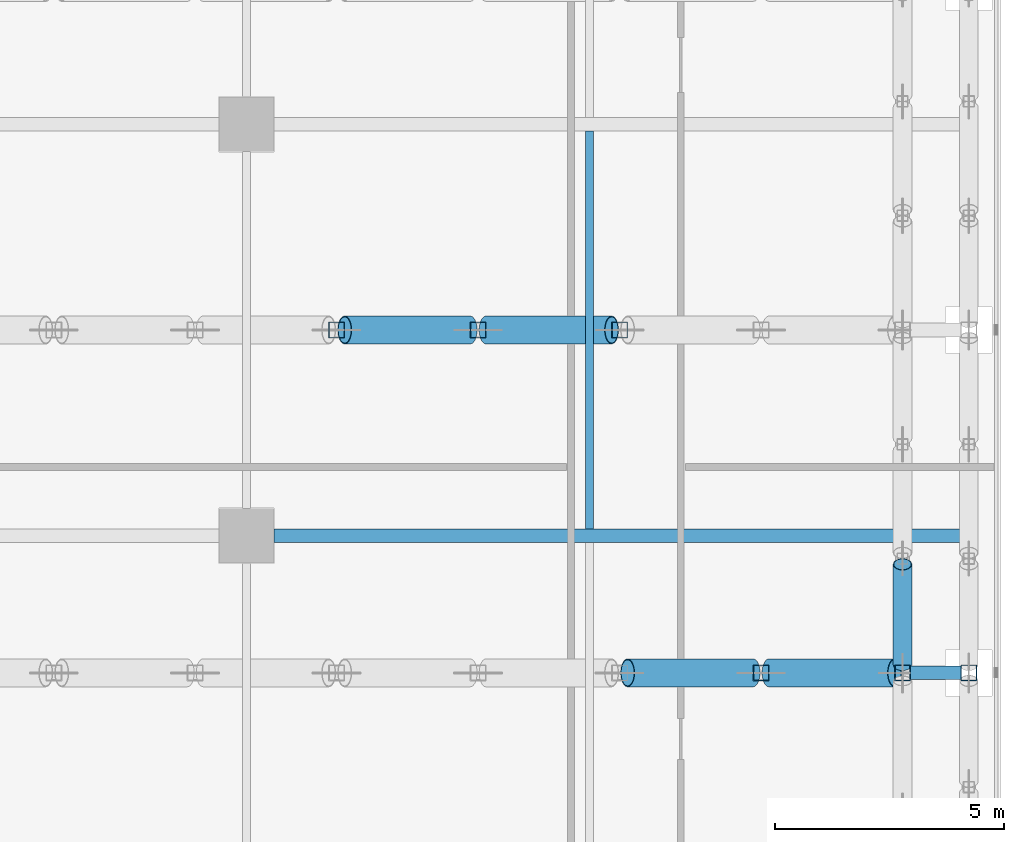
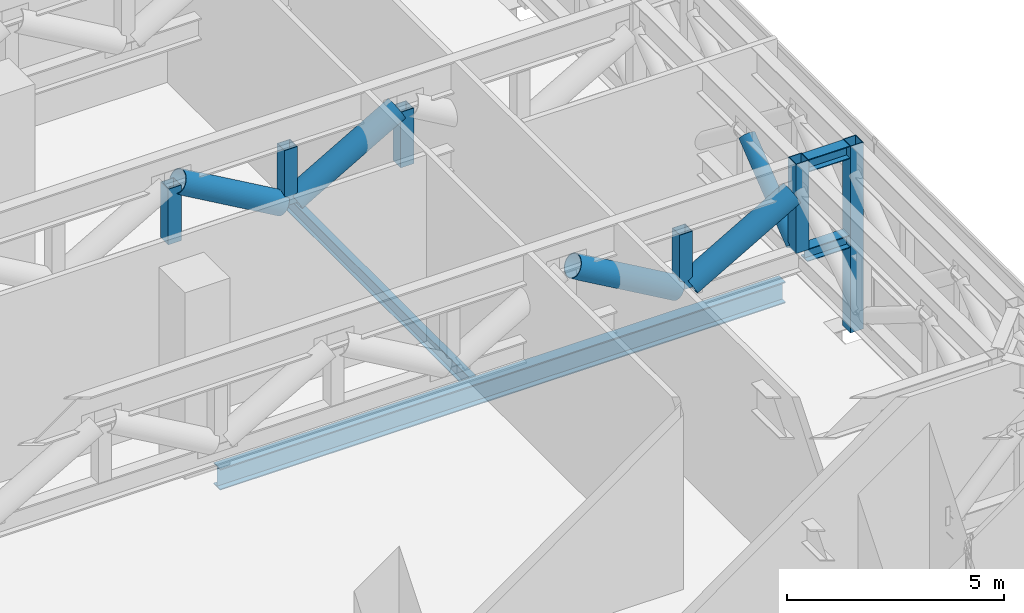
# One storey, part 13 of 36: 11 members, 4 beams.
"""IFC4 building model written with IfcOpenShell, lengths in metres."""

from ifc_helpers import new_model, si_unit, direction, frame, origin, origin_2d, place, context, subcontext, project, spatial, hollow_rectangle, hollow_circle, i_section, extrude, source, transform, mapped, material, material_profile, profile_set, type_object, element, save


model = new_model("IFC4")

# Units and contexts
model_context = context("Model", 3, precision=1e-05, world=origin(), true_north=direction((0.0, 1.0)))
body_context = subcontext(model_context, "Body", "Model", "MODEL_VIEW")
ifc_project = project(units=[si_unit("LENGTHUNIT", "METRE"), si_unit("AREAUNIT", "SQUARE_METRE"), si_unit("VOLUMEUNIT", "CUBIC_METRE"), si_unit("PLANEANGLEUNIT", "RADIAN"), si_unit("MASSUNIT", "GRAM", prefix="KILO")], contexts=[model_context])

# Site, building, storey
site_placement = place(None, origin())
site = spatial("IfcSite", under=ifc_project, at=site_placement, CompositionType="ELEMENT")
building_placement = place(site_placement, origin())
building = spatial("IfcBuilding", under=site, at=building_placement, Name="Khomas Fold Tower", CompositionType="ELEMENT")
storey_placement = place(building_placement, frame((0.0, 0.0, 216.699951171875)))
storey = spatial("IfcBuildingStorey", under=building, at=storey_placement, Name="L48", CompositionType="ELEMENT", Elevation=216.699951171875)

# Beams
ifc_material_1 = material(Name="Steel S355", Category="steel")
ifc_material_profile_1 = material_profile(ifc_material_1, i_section(OverallWidth=0.179931640625, OverallDepth=0.39990234375, WebThickness=0.008544921875, FlangeThickness=0.013427734375, at=origin_2d()), Name="IPE 400")
ifc_profile_set_1 = profile_set([ifc_material_profile_1], Name="Steel S355")
beam_type_1 = type_object("IfcBeamType", Name="IPE 400 beam JB3", PredefinedType="BEAM", material=ifc_profile_set_1)
shared_shape_1 = source(origin(), body_context, "Body", "SweptSolid", [
    extrude(i_section(OverallWidth=0.179931640625, OverallDepth=0.39990234375, WebThickness=0.008544921875, FlangeThickness=0.013427734375, at=origin_2d()), origin(), (0.0, 0.0, 1.0), 8.7001953125),
])
beam_1_placement = place(storey_placement, frame((42.0, 22.64990234375, -0.599853515625), z_axis=(0.0, 1.0, 0.0), x_axis=(-1.0, 0.0, 0.0)))
element("IfcBeam", 1, at=beam_1_placement, inside=storey, type_object=beam_type_1, Name="JB3", PredefinedType="BEAM", context=body_context, shape_type="MappedRepresentation", body=[
    mapped(shared_shape_1, transform((0.0, 0.0, 0.0))),
])
ifc_material_2 = material(Name="Steel S355", Category="steel")
ifc_material_profile_2 = material_profile(ifc_material_2, i_section(OverallWidth=0.300048828125, OverallDepth=0.60009765625, WebThickness=0.015380859375, FlangeThickness=0.030029296875, at=origin_2d()), Name="HE 600 B")
ifc_profile_set_2 = profile_set([ifc_material_profile_2], Name="Steel S355")
beam_type_2 = type_object("IfcBeamType", Name="HE 600 B beam GB5", PredefinedType="BEAM", material=ifc_profile_set_2)
shared_shape_2 = source(origin(), body_context, "Body", "SweptSolid", [
    extrude(i_section(OverallWidth=0.300048828125, OverallDepth=0.60009765625, WebThickness=0.015380859375, FlangeThickness=0.030029296875, at=origin_2d()), origin(), (0.0, 0.0, 1.0), 15.0498046875),
])
beam_2_placement = place(storey_placement, frame((35.10009765625, 22.5, -0.699951171875), z_axis=(1.0, 0.0, 0.0), x_axis=(0.0, 1.0, 0.0)))
element("IfcBeam", 2, at=beam_2_placement, inside=storey, type_object=beam_type_2, Name="GB5", PredefinedType="BEAM", context=body_context, shape_type="MappedRepresentation", body=[
    mapped(shared_shape_2, transform((0.0, 0.0, 0.0))),
])

# Members
ifc_material_3 = material(Name="Steel S355", Category="steel")
ifc_material_profile_3 = material_profile(ifc_material_3, hollow_circle(Radius=0.203125, WallThickness=0.012451171875, at=origin_2d()), Name="CHS 406.4x12.5")
ifc_profile_set_3 = profile_set([ifc_material_profile_3], Name="Steel S355")
member_type_1 = type_object("IfcMemberType", Name="BELT TRUSS 3 DIAGONAL CHS 406.4x12.5", PredefinedType="BRACE", material=ifc_profile_set_3)
shared_shape_3 = source(origin(), body_context, "Body", "SweptSolid", [
    extrude(hollow_circle(Radius=0.203125, WallThickness=0.012451171875, at=origin_2d()), origin(), (0.0, 0.0, 1.0), 2.798583984375),
])
member_1_placement = place(storey_placement, frame((48.85009765625, 19.675048828125, 2.735107421875), z_axis=(0.0, 0.786067028411, 0.618141267709), x_axis=(-1.0, 0.0, 0.0)))
element("IfcMember", 3, at=member_1_placement, inside=storey, type_object=member_type_1, Name="BT3-D", PredefinedType="BRACE", context=body_context, shape_type="MappedRepresentation", body=[
    mapped(shared_shape_3, transform((0.0, 0.0, 0.0))),
])
ifc_material_4 = material(Name="Steel S355", Category="steel")
ifc_material_profile_4 = material_profile(ifc_material_4, hollow_rectangle(XDim=0.35009765625, YDim=0.35009765625, WallThickness=0.01611328125, at=origin_2d()), Name="SHS 350x350x16")
ifc_profile_set_4 = profile_set([ifc_material_profile_4], Name="Steel S355")
member_type_2 = type_object("IfcMemberType", Name="BELT TRUSS 3 COLUMN POST SHS 350x350x16", PredefinedType="POST", material=ifc_profile_set_4)
shared_shape_4 = source(origin(), body_context, "Body", "SweptSolid", [
    extrude(hollow_rectangle(XDim=0.35009765625, YDim=0.35009765625, WallThickness=0.01611328125, at=origin_2d()), origin(), (0.0, 0.0, 1.0), 5.25),
])
member_2_placement = place(storey_placement, frame((50.300048828125, 19.5, 0.0), z_axis=(0.0, 0.0, 1.0), x_axis=(1.0, 0.0, 0.0)))
element("IfcMember", 4, at=member_2_placement, inside=storey, type_object=member_type_2, Name="BT3-P", PredefinedType="POST", context=body_context, shape_type="MappedRepresentation", body=[
    mapped(shared_shape_4, transform((0.0, 0.0, 0.0))),
])
ifc_material_5 = material(Name="Steel S355", Category="steel")
ifc_material_profile_5 = material_profile(ifc_material_5, hollow_rectangle(XDim=0.35009765625, YDim=0.35009765625, WallThickness=0.01611328125, at=origin_2d()), Name="SHS 350x350x16")
ifc_profile_set_5 = profile_set([ifc_material_profile_5], Name="Steel S355")
member_type_3 = type_object("IfcMemberType", Name="BELT TRUSS 3 COLUMN POST SHORT SHS 350x350x16", PredefinedType="POST", material=ifc_profile_set_5)
shared_shape_5 = source(origin(), body_context, "Body", "SweptSolid", [
    extrude(hollow_rectangle(XDim=0.35009765625, YDim=0.35009765625, WallThickness=0.01611328125, at=origin_2d()), origin(), (0.0, 0.0, 1.0), 2.510009765625),
])
member_3_placement = place(storey_placement, frame((48.85009765625, 19.5, 2.739990234375), z_axis=(0.0, 0.0, 1.0), x_axis=(1.0, 0.0, 0.0)))
element("IfcMember", 5, at=member_3_placement, inside=storey, type_object=member_type_3, Name="BT3-PS", PredefinedType="POST", context=body_context, shape_type="MappedRepresentation", body=[
    mapped(shared_shape_5, transform((0.0, 0.0, 0.0))),
])

# Beams
ifc_material_6 = material(Name="Steel S355", Category="steel")
ifc_material_profile_6 = material_profile(ifc_material_6, i_section(OverallWidth=0.300048828125, OverallDepth=0.360107421875, WebThickness=0.012451171875, FlangeThickness=0.0224609375, at=origin_2d()), Name="HE 360 B")
ifc_profile_set_6 = profile_set([ifc_material_profile_6], Name="Steel S355")
beam_type_3 = type_object("IfcBeamType", Name="BELT TRUSS 3 TOP STRUT HE 360 B", PredefinedType="BEAM", material=ifc_profile_set_6)
shared_shape_6 = source(origin(), body_context, "Body", "SweptSolid", [
    extrude(i_section(OverallWidth=0.300048828125, OverallDepth=0.360107421875, WebThickness=0.012451171875, FlangeThickness=0.0224609375, at=origin_2d()), origin(), (0.0, 0.0, 1.0), 1.10009765625),
])
beam_3_placement = place(storey_placement, frame((49.02490234375, 19.5, 5.070068359375), z_axis=(1.0, 0.0, 0.0), x_axis=(0.0, 1.0, 0.0)))
element("IfcBeam", 6, at=beam_3_placement, inside=storey, type_object=beam_type_3, Name="BT3-ST", PredefinedType="BEAM", context=body_context, shape_type="MappedRepresentation", body=[
    mapped(shared_shape_6, transform((0.0, 0.0, 0.0))),
])
ifc_material_7 = material(Name="Steel S355", Category="steel")
ifc_material_profile_7 = material_profile(ifc_material_7, i_section(OverallWidth=0.300048828125, OverallDepth=0.360107421875, WebThickness=0.012451171875, FlangeThickness=0.0224609375, at=origin_2d()), Name="HE 360 B")
ifc_profile_set_7 = profile_set([ifc_material_profile_7], Name="Steel S355")
beam_type_4 = type_object("IfcBeamType", Name="BELT TRUSS 3 BOTTOM STRUT HE 360 B", PredefinedType="BEAM", material=ifc_profile_set_7)
shared_shape_7 = source(origin(), body_context, "Body", "SweptSolid", [
    extrude(i_section(OverallWidth=0.300048828125, OverallDepth=0.360107421875, WebThickness=0.012451171875, FlangeThickness=0.0224609375, at=origin_2d()), origin(), (0.0, 0.0, 1.0), 1.125),
])
beam_4_placement = place(storey_placement, frame((49.0, 19.5, 2.56005859375), z_axis=(1.0, 0.0, 0.0), x_axis=(0.0, 1.0, 0.0)))
element("IfcBeam", 7, at=beam_4_placement, inside=storey, type_object=beam_type_4, Name="BT3-SB", PredefinedType="BEAM", context=body_context, shape_type="MappedRepresentation", body=[
    mapped(shared_shape_7, transform((0.0, 0.0, 0.0))),
])

# Members
ifc_material_8 = material(Name="Steel S355", Category="steel")
ifc_material_profile_8 = material_profile(ifc_material_8, hollow_circle(Radius=0.304931640625, WallThickness=0.02001953125, at=origin_2d()), Name="CHS 610x20")
ifc_profile_set_8 = profile_set([ifc_material_profile_8], Name="Steel S355")
member_type_4 = type_object("IfcMemberType", Name="OUTRIGGER 2 DIAGONAL CHS 610x20", PredefinedType="BRACE", material=ifc_profile_set_8)
shared_shape_8 = source(origin(), body_context, "Body", "SweptSolid", [
    extrude(hollow_circle(Radius=0.304931640625, WallThickness=0.02001953125, at=origin_2d()), origin(), (0.0, 0.0, 1.0), 3.166748046875),
])
for number, where, z_axis, x_axis, name in (
    (8, (42.836181640625, 19.5, 4.344970703125), (0.866658823568, 0.0, -0.498901276338), (0.0, 1.0, 0.0), "OR2-D"),
    (9, (45.9306640625, 19.5, 2.76513671875), (0.866658823568, 0.0, 0.498901276338), (0.0, 1.0, 0.0), "OR2-D"),
    (10, (36.647216796875, 27.0, 4.344970703125), (0.866658823568, 0.0, -0.498901276338), (0.0, 1.0, 0.0), "OR2-D"),
    (11, (39.74169921875, 27.0, 2.76513671875), (0.866658823568, 0.0, 0.498901276338), (0.0, 1.0, 0.0), "OR2-D"),
):
    element("IfcMember", number, at=place(storey_placement, frame(where, z_axis=z_axis, x_axis=x_axis)), inside=storey, type_object=member_type_4, Name=name, PredefinedType="BRACE", context=body_context, shape_type="MappedRepresentation", body=[
        mapped(shared_shape_8, transform((0.0, 0.0, 0.0))),
    ])
ifc_material_9 = material(Name="Steel S355", Category="steel")
ifc_material_profile_9 = material_profile(ifc_material_9, hollow_rectangle(XDim=0.35009765625, YDim=0.35009765625, WallThickness=0.01611328125, at=origin_2d()), Name="SHS 350x350x16")
ifc_profile_set_9 = profile_set([ifc_material_profile_9], Name="Steel S355")
member_type_5 = type_object("IfcMemberType", Name="OUTRIGGER 2 MID POST SHS 350x350x16", PredefinedType="POST", material=ifc_profile_set_9)
shared_shape_9 = source(origin(), body_context, "Body", "SweptSolid", [
    extrude(hollow_rectangle(XDim=0.35009765625, YDim=0.35009765625, WallThickness=0.01611328125, at=origin_2d()), origin(), (0.0, 0.0, 1.0), 1.570068359375),
])
for number, where, z_axis, x_axis, name in (
    (12, (45.755615234375, 19.5, 2.77001953125), (0.0, 0.0, 1.0), (1.0, 0.0, 0.0), "OR2-M"),
    (13, (36.47216796875, 27.0, 2.77001953125), (0.0, 0.0, 1.0), (1.0, 0.0, 0.0), "OR2-M"),
    (14, (39.566650390625, 27.0, 2.77001953125), (0.0, 0.0, 1.0), (1.0, 0.0, 0.0), "OR2-M"),
    (15, (42.6611328125, 27.0, 2.77001953125), (0.0, 0.0, 1.0), (1.0, 0.0, 0.0), "OR2-M"),
):
    element("IfcMember", number, at=place(storey_placement, frame(where, z_axis=z_axis, x_axis=x_axis)), inside=storey, type_object=member_type_5, Name=name, PredefinedType="POST", context=body_context, shape_type="MappedRepresentation", body=[
        mapped(shared_shape_9, transform((0.0, 0.0, 0.0))),
    ])

save(model, "model.ifc")
